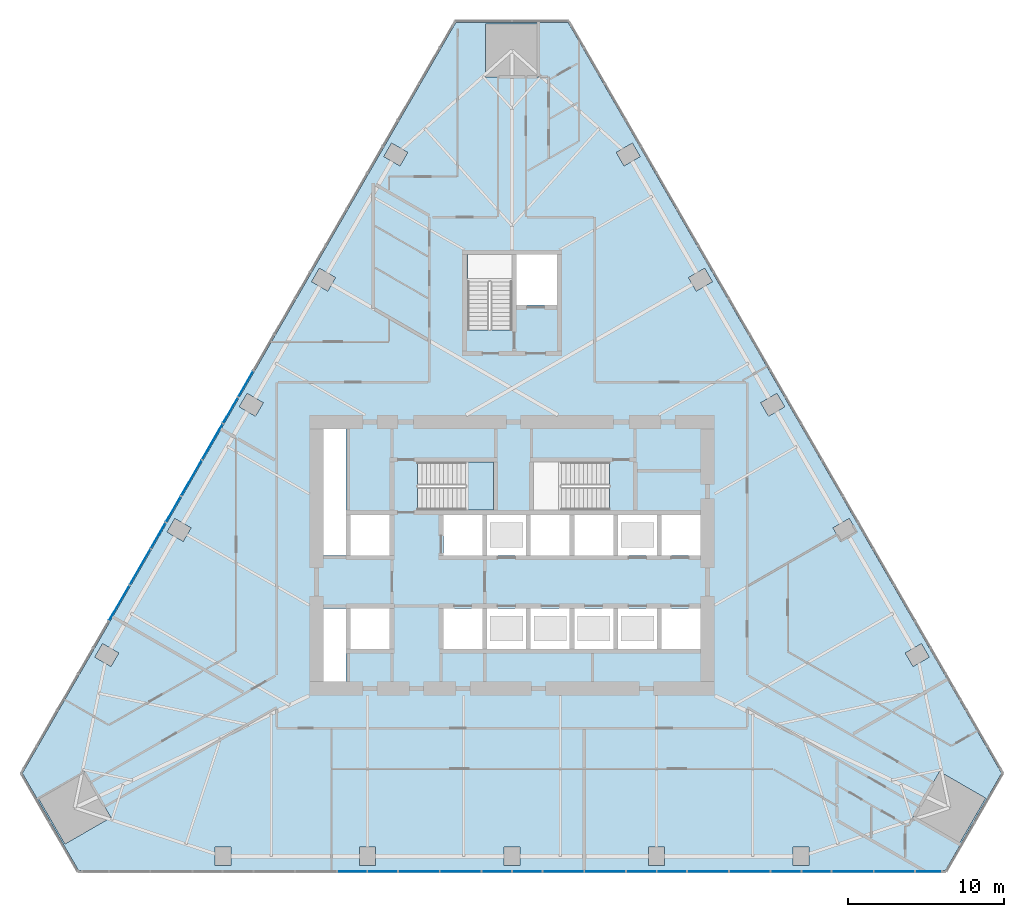
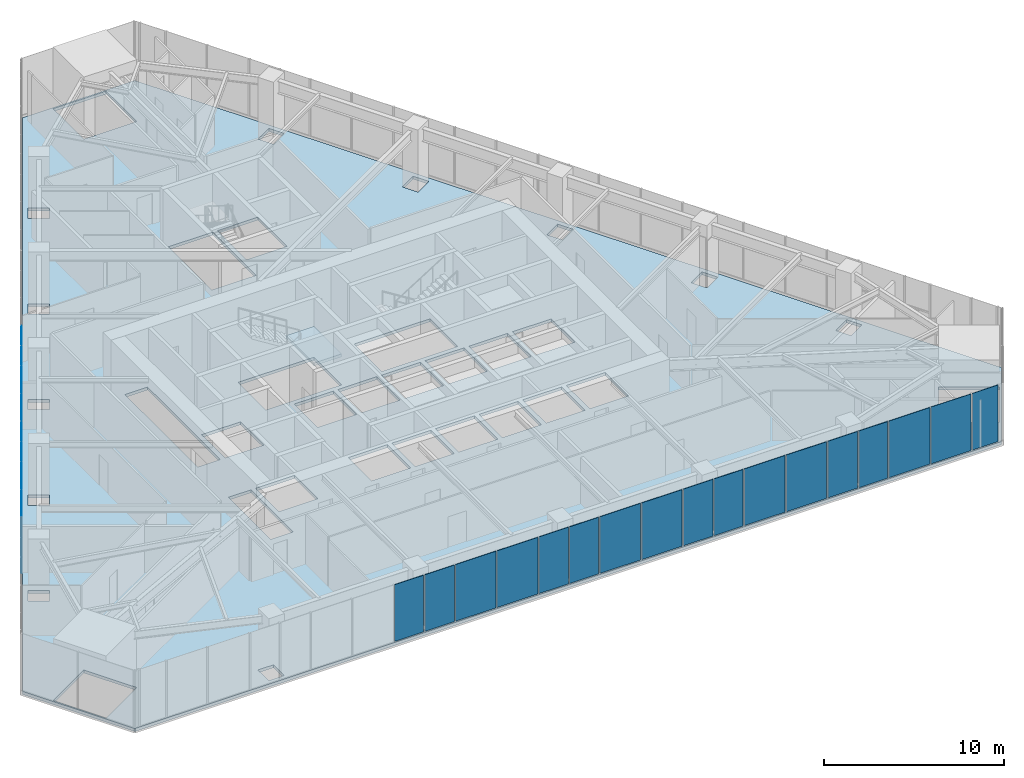
# One storey, part 12 of 22: 25 plates, 2 slabs, 3 elements without a shape of their own.
"""IFC4 building model written with IfcOpenShell, lengths in metres."""

from ifc_helpers import new_model, si_unit, direction, frame, origin, place, context, subcontext, project, spatial, polyline, outline, extrude, material, layer, layer_set, type_object, element, aggregate, save


model = new_model("IFC4")

# Units and contexts
model_context = context("Model", 3, precision=1e-05, world=origin(), true_north=direction((0.0, 1.0)))
body_context = subcontext(model_context, "Body", "Model", "MODEL_VIEW")
ifc_project = project(units=[si_unit("LENGTHUNIT", "METRE"), si_unit("AREAUNIT", "SQUARE_METRE"), si_unit("VOLUMEUNIT", "CUBIC_METRE"), si_unit("PLANEANGLEUNIT", "RADIAN"), si_unit("MASSUNIT", "GRAM", prefix="KILO")], contexts=[model_context])

# Site, building, storey
site_placement = place(None, origin())
site = spatial("IfcSite", under=ifc_project, at=site_placement, CompositionType="ELEMENT")
building_placement = place(site_placement, origin())
building = spatial("IfcBuilding", under=site, at=building_placement, Name="Firuza Gate Tower and Library", CompositionType="ELEMENT")
storey_placement = place(building_placement, frame((0.0, 0.0, 128.199951171875)))
storey = spatial("IfcBuildingStorey", under=building, at=storey_placement, Name="L29", CompositionType="ELEMENT", Elevation=128.199951171875)

# Slab
ifc_material_1 = material(Name="Concrete C40/50", Category="concrete")
ifc_layer_1 = layer(ifc_material_1, 0.199951171875)
ifc_layer_set_1 = layer_set([ifc_layer_1], Name="Composite floor slab 200 C40/50")
slab_type_1 = type_object("IfcSlabType", Name="Composite floor slab 200 C40/50", PredefinedType="FLOOR", material=ifc_layer_set_1)
slab_1_placement = place(storey_placement, frame((0.0, 0.0, -0.199951171875)))
element("IfcSlab", 1, at=slab_1_placement, inside=storey, type_object=slab_type_1, Name="Floor slab L29", PredefinedType="FLOOR", context=body_context, shape_type="SweptSolid", body=[
    extrude(outline(polyline([(43.583251953125, 61.018310546875), (47.18310546875, 54.782958984375), (102.81689453125, 54.782958984375), (106.416748046875, 61.018310546875), (78.60009765625, 109.198486328125), (71.39990234375, 109.198486328125), (43.583251953125, 61.018310546875)]), holes=[polyline([(55.955322265625, 55.0830078125), (55.955322265625, 56.282958984375), (56.955322265625, 56.282958984375), (56.955322265625, 55.0830078125), (55.955322265625, 55.0830078125)]), polyline([(65.227783203125, 55.0830078125), (65.227783203125, 56.282958984375), (66.227783203125, 56.282958984375), (66.227783203125, 55.0830078125), (65.227783203125, 55.0830078125)]), polyline([(44.61962890625, 59.4228515625), (47.564208984375, 61.123046875), (49.26416015625, 58.178466796875), (46.31982421875, 56.478515625), (44.61962890625, 59.4228515625)]), polyline([(48.72900390625, 69.33154296875), (49.768310546875, 68.7314453125), (49.268310546875, 67.865478515625), (48.22900390625, 68.46533203125), (48.72900390625, 69.33154296875)]), polyline([(64.35009765625, 66.89990234375), (62.89990234375, 66.89990234375), (62.89990234375, 71.60009765625), (64.35009765625, 71.60009765625), (64.35009765625, 66.89990234375)]), polyline([(75.89990234375, 69.0), (73.39990234375, 69.0), (73.39990234375, 71.60009765625), (75.89990234375, 71.60009765625), (75.89990234375, 69.0)]), polyline([(73.10009765625, 69.0), (70.60009765625, 69.0), (70.60009765625, 71.60009765625), (73.10009765625, 71.60009765625), (73.10009765625, 69.0)]), polyline([(64.64990234375, 69.0), (64.64990234375, 71.60009765625), (67.14990234375, 71.60009765625), (67.14990234375, 69.0), (64.64990234375, 69.0)]), polyline([(64.64990234375, 75.0), (64.64990234375, 77.60009765625), (67.14990234375, 77.60009765625), (67.14990234375, 75.0), (64.64990234375, 75.0)]), polyline([(75.89990234375, 75.0), (73.39990234375, 75.0), (73.39990234375, 77.60009765625), (75.89990234375, 77.60009765625), (75.89990234375, 75.0)]), polyline([(73.10009765625, 75.0), (70.60009765625, 75.0), (70.60009765625, 77.60009765625), (73.10009765625, 77.60009765625), (73.10009765625, 75.0)]), polyline([(53.365234375, 77.361572265625), (54.404541015625, 76.761474609375), (53.904541015625, 75.8955078125), (52.865234375, 76.495361328125), (53.365234375, 77.361572265625)]), polyline([(62.89990234375, 75.0), (62.89990234375, 83.10009765625), (64.35009765625, 83.10009765625), (64.35009765625, 75.0), (62.89990234375, 75.0)]), polyline([(68.9404296875, 77.89990234375), (68.9404296875, 80.97998046875), (73.81005859375, 80.97998046875), (73.81005859375, 77.89990234375), (68.9404296875, 77.89990234375)]), polyline([(58.00146484375, 85.3916015625), (59.04052734375, 84.79150390625), (58.54052734375, 83.925537109375), (57.50146484375, 84.525390625), (58.00146484375, 85.3916015625)]), polyline([(72.159912109375, 89.470458984375), (72.159912109375, 94.300048828125), (75.0, 94.300048828125), (75.0, 89.470458984375), (72.159912109375, 89.470458984375)]), polyline([(62.637451171875, 93.421630859375), (63.6767578125, 92.821533203125), (63.1767578125, 91.95556640625), (62.137451171875, 92.555419921875), (62.637451171875, 93.421630859375)]), polyline([(68.31298828125, 100.8515625), (67.81298828125, 99.985595703125), (66.773681640625, 100.58544921875), (67.273681640625, 101.45166015625), (68.31298828125, 100.8515625)]), polyline([(76.699951171875, 105.698486328125), (73.300048828125, 105.698486328125), (73.300048828125, 109.0986328125), (76.699951171875, 109.0986328125), (76.699951171875, 105.698486328125)]), polyline([(93.044677734375, 55.0830078125), (93.044677734375, 56.282958984375), (94.044677734375, 56.282958984375), (94.044677734375, 55.0830078125), (93.044677734375, 55.0830078125)]), polyline([(74.5, 55.0830078125), (74.5, 56.282958984375), (75.5, 56.282958984375), (75.5, 55.0830078125), (74.5, 55.0830078125)]), polyline([(83.772216796875, 55.0830078125), (83.772216796875, 56.282958984375), (84.772216796875, 56.282958984375), (84.772216796875, 55.0830078125), (83.772216796875, 55.0830078125)]), polyline([(103.68017578125, 56.478515625), (100.73583984375, 58.178466796875), (102.435791015625, 61.123046875), (105.38037109375, 59.4228515625), (103.68017578125, 56.478515625)]), polyline([(101.77099609375, 68.46533203125), (100.731689453125, 67.865478515625), (100.231689453125, 68.7314453125), (101.27099609375, 69.33154296875), (101.77099609375, 68.46533203125)]), polyline([(78.699951171875, 69.0), (76.199951171875, 69.0), (76.199951171875, 71.60009765625), (78.699951171875, 71.60009765625), (78.699951171875, 69.0)]), polyline([(81.5, 69.0), (79.0, 69.0), (79.0, 71.60009765625), (81.5, 71.60009765625), (81.5, 69.0)]), polyline([(84.60009765625, 69.0), (84.60009765625, 71.60009765625), (87.10009765625, 71.60009765625), (87.10009765625, 69.0), (84.60009765625, 69.0)]), polyline([(81.800048828125, 69.0), (81.800048828125, 71.60009765625), (84.300048828125, 71.60009765625), (84.300048828125, 69.0), (81.800048828125, 69.0)]), polyline([(84.300048828125, 75.0), (81.800048828125, 75.0), (81.800048828125, 77.60009765625), (84.300048828125, 77.60009765625), (84.300048828125, 75.0)]), polyline([(87.10009765625, 75.0), (84.60009765625, 75.0), (84.60009765625, 77.60009765625), (87.10009765625, 77.60009765625), (87.10009765625, 75.0)]), polyline([(81.5, 75.0), (79.0, 75.0), (79.0, 77.60009765625), (81.5, 77.60009765625), (81.5, 75.0)]), polyline([(76.199951171875, 75.0), (76.199951171875, 77.60009765625), (78.699951171875, 77.60009765625), (78.699951171875, 75.0), (76.199951171875, 75.0)]), polyline([(96.095458984375, 75.8955078125), (95.595458984375, 76.761474609375), (96.634765625, 77.361572265625), (97.134765625, 76.495361328125), (96.095458984375, 75.8955078125)]), polyline([(81.259521484375, 77.89990234375), (76.389892578125, 77.89990234375), (76.389892578125, 80.97998046875), (81.259521484375, 80.97998046875), (81.259521484375, 77.89990234375)]), polyline([(92.49853515625, 84.525390625), (91.45947265625, 83.925537109375), (90.95947265625, 84.79150390625), (91.99853515625, 85.3916015625), (92.49853515625, 84.525390625)]), polyline([(77.89990234375, 91.050048828125), (75.300048828125, 91.050048828125), (75.300048828125, 94.300048828125), (77.89990234375, 94.300048828125), (77.89990234375, 91.050048828125)]), polyline([(86.8232421875, 91.95556640625), (86.3232421875, 92.821533203125), (87.362548828125, 93.421630859375), (87.862548828125, 92.555419921875), (86.8232421875, 91.95556640625)]), polyline([(82.18701171875, 99.985595703125), (81.68701171875, 100.8515625), (82.726318359375, 101.45166015625), (83.226318359375, 100.58544921875), (82.18701171875, 99.985595703125)])]), origin(), (0.0, 0.0, 1.0), 0.199951171875),
])

# Curtain wall, plates
ifc_material_2 = material(Name="Aluminium 6063-T6", Category="aluminium")
ifc_layer_2 = layer(ifc_material_2, 0.14990234375)
ifc_layer_set_2 = layer_set([ifc_layer_2], Name="Unitised curtain wall, offices")
curtain_wall_type = type_object("IfcCurtainWallType", Name="Unitised curtain wall, offices", PredefinedType="NOTDEFINED", material=ifc_layer_set_2)
placement = place(storey_placement, origin())
curtain_wall_1 = element("IfcCurtainWall", 2, at=placement, inside=storey, type_object=curtain_wall_type, Name="CW1 L29 S face", PredefinedType="NOTDEFINED")
ifc_material_3 = material(Name="Fritted glass", Category="glass")
ifc_layer_3 = layer(ifc_material_3, 0.030029296875)
ifc_layer_set_3 = layer_set([ifc_layer_3], Name="Fritted glass unit, offices")
plate_type_1 = type_object("IfcPlateType", Name="Fritted glass unit, offices", PredefinedType="CURTAIN_PANEL", material=ifc_layer_set_3)
plate_1_placement = place(storey_placement, frame((63.8115234375, 54.693115234375, 0.150146484375), z_axis=(0.0, -1.0, 0.0), x_axis=(1.0, 0.0, 0.0)))
plate_1 = element("IfcPlate", 3, at=plate_1_placement, type_object=plate_type_1, Name="Glass unit", PredefinedType="CURTAIN_PANEL", context=body_context, shape_type="SweptSolid", body=[
    extrude(outline(polyline([(0.0, 0.0), (1.86181640625, 0.0), (1.86181640625, 3.849853515625), (0.0, 3.849853515625), (0.0, 0.0)])), origin(), (0.0, 0.0, -1.0), 0.030029296875),
])
plate_2_placement = place(storey_placement, frame((65.753173828125, 54.693115234375, 0.150146484375), z_axis=(0.0, -1.0, 0.0), x_axis=(1.0, 0.0, 0.0)))
plate_2 = element("IfcPlate", 4, at=plate_2_placement, type_object=plate_type_1, Name="Glass unit", PredefinedType="CURTAIN_PANEL", context=body_context, shape_type="SweptSolid", body=[
    extrude(outline(polyline([(0.0, 0.0), (1.890625, 0.0), (1.890625, 3.849853515625), (0.0, 3.849853515625), (0.0, 0.0)])), origin(), (0.0, 0.0, -1.0), 0.030029296875),
])
plate_3_placement = place(storey_placement, frame((73.083984375, 54.693115234375, 0.150146484375), z_axis=(0.0, -1.0, 0.0), x_axis=(1.0, 0.0, 0.0)))
plate_3 = element("IfcPlate", 5, at=plate_3_placement, type_object=plate_type_1, Name="Glass unit", PredefinedType="CURTAIN_PANEL", context=body_context, shape_type="SweptSolid", body=[
    extrude(outline(polyline([(0.0, 0.0), (1.8759765625, 0.0), (1.8759765625, 3.849853515625), (0.0, 3.849853515625), (0.0, 0.0)])), origin(), (0.0, 0.0, -1.0), 0.030029296875),
])
plate_4_placement = place(storey_placement, frame((75.0400390625, 54.693115234375, 0.150146484375), z_axis=(0.0, -1.0, 0.0), x_axis=(1.0, 0.0, 0.0)))
plate_4 = element("IfcPlate", 6, at=plate_4_placement, type_object=plate_type_1, Name="Glass unit", PredefinedType="CURTAIN_PANEL", context=body_context, shape_type="SweptSolid", body=[
    extrude(outline(polyline([(0.0, 0.0), (1.8759765625, 0.0), (1.8759765625, 3.849853515625), (0.0, 3.849853515625), (0.0, 0.0)])), origin(), (0.0, 0.0, -1.0), 0.030029296875),
])
plate_5_placement = place(storey_placement, frame((82.356201171875, 54.693115234375, 0.150146484375), z_axis=(0.0, -1.0, 0.0), x_axis=(1.0, 0.0, 0.0)))
plate_5 = element("IfcPlate", 7, at=plate_5_placement, type_object=plate_type_1, Name="Glass unit", PredefinedType="CURTAIN_PANEL", context=body_context, shape_type="SweptSolid", body=[
    extrude(outline(polyline([(0.0, 0.0), (1.890625, 0.0), (1.890625, 3.849853515625), (0.0, 3.849853515625), (0.0, 0.0)])), origin(), (0.0, 0.0, -1.0), 0.030029296875),
])
plate_6_placement = place(storey_placement, frame((84.32666015625, 54.693115234375, 0.150146484375), z_axis=(0.0, -1.0, 0.0), x_axis=(1.0, 0.0, 0.0)))
plate_6 = element("IfcPlate", 8, at=plate_6_placement, type_object=plate_type_1, Name="Glass unit", PredefinedType="CURTAIN_PANEL", context=body_context, shape_type="SweptSolid", body=[
    extrude(outline(polyline([(0.0, 0.0), (1.86181640625, 0.0), (1.86181640625, 3.849853515625), (0.0, 3.849853515625), (0.0, 0.0)])), origin(), (0.0, 0.0, -1.0), 0.030029296875),
])
plate_7_placement = place(storey_placement, frame((91.62841796875, 54.693115234375, 0.150146484375), z_axis=(0.0, -1.0, 0.0), x_axis=(1.0, 0.0, 0.0)))
plate_7 = element("IfcPlate", 9, at=plate_7_placement, type_object=plate_type_1, Name="Glass unit", PredefinedType="CURTAIN_PANEL", context=body_context, shape_type="SweptSolid", body=[
    extrude(outline(polyline([(0.0, 0.0), (1.905029296875, 0.0), (1.905029296875, 3.849853515625), (0.0, 3.849853515625), (0.0, 0.0)])), origin(), (0.0, 0.0, -1.0), 0.030029296875),
])
plate_8_placement = place(storey_placement, frame((93.613525390625, 54.693115234375, 0.150146484375), z_axis=(0.0, -1.0, 0.0), x_axis=(1.0, 0.0, 0.0)))
plate_8 = element("IfcPlate", 10, at=plate_8_placement, type_object=plate_type_1, Name="Glass unit", PredefinedType="CURTAIN_PANEL", context=body_context, shape_type="SweptSolid", body=[
    extrude(outline(polyline([(0.0, 0.0), (1.84716796875, 0.0), (1.84716796875, 3.849853515625), (0.0, 3.849853515625), (0.0, 0.0)])), origin(), (0.0, 0.0, -1.0), 0.030029296875),
])
plate_9_placement = place(storey_placement, frame((100.90087890625, 54.693115234375, 0.150146484375), z_axis=(0.0, -1.0, 0.0), x_axis=(1.0, 0.0, 0.0)))
plate_9 = element("IfcPlate", 11, at=plate_9_placement, type_object=plate_type_1, Name="Glass unit", PredefinedType="CURTAIN_PANEL", context=body_context, shape_type="SweptSolid", body=[
    extrude(outline(polyline([(0.0, 0.0), (1.653076171875, 0.0), (1.653076171875, 3.849853515625), (0.0, 3.849853515625), (0.0, 0.0)])), origin(), (0.0, 0.0, -1.0), 0.030029296875),
])

curtain_wall_2 = element("IfcCurtainWall", 12, at=placement, inside=storey, type_object=curtain_wall_type, Name="CW1 L29 W face", PredefinedType="NOTDEFINED")
plate_10_placement = place(storey_placement, frame((58.37158203125, 86.81298828125, 0.150146484375), z_axis=(-0.866040394721, 0.499974034037, 0.0), x_axis=(-0.499974034037, -0.866040394721, 0.0)))
plate_10 = element("IfcPlate", 13, at=plate_10_placement, type_object=plate_type_1, Name="Glass unit", PredefinedType="CURTAIN_PANEL", context=body_context, shape_type="SweptSolid", body=[
    extrude(outline(polyline([(0.0, 0.0), (1.876073990634624, 0.0), (1.876073990634624, 3.849853515625), (0.0, 3.849853515625), (0.0, 0.0)])), origin(), (0.0, 0.0, -1.0), 0.030029296875),
])
plate_11_placement = place(storey_placement, frame((57.3935546875, 85.118896484375, 0.150146484375), z_axis=(-0.866040394721, 0.499974034037, 0.0), x_axis=(-0.499974034037, -0.866040394721, 0.0)))
plate_11 = element("IfcPlate", 14, at=plate_11_placement, type_object=plate_type_1, Name="Glass unit", PredefinedType="CURTAIN_PANEL", context=body_context, shape_type="SweptSolid", body=[
    extrude(outline(polyline([(0.0, 0.0), (1.876073990634624, 0.0), (1.876073990634624, 3.849853515625), (0.0, 3.849853515625), (0.0, 0.0)])), origin(), (0.0, 0.0, -1.0), 0.030029296875),
])
plate_12_placement = place(storey_placement, frame((53.735595703125, 78.782958984375, 0.150146484375), z_axis=(-0.866041520497, 0.499972083996, 0.0), x_axis=(-0.499972083996, -0.866041520497, 0.0)))
plate_12 = element("IfcPlate", 15, at=plate_12_placement, type_object=plate_type_1, Name="Glass unit", PredefinedType="CURTAIN_PANEL", context=body_context, shape_type="SweptSolid", body=[
    extrude(outline(polyline([(0.0, 0.0), (1.8907305632826326, 0.0), (1.8907305632826326, 3.849853515625), (0.0, 3.849853515625), (0.0, 0.0)])), origin(), (0.0, 0.0, -1.0), 0.030029296875),
])
plate_13_placement = place(storey_placement, frame((52.750244140625, 77.076416015625, 0.150146484375), z_axis=(-0.866015249523, 0.500017587285, 0.0), x_axis=(-0.500017587285, -0.866015249523, 0.0)))
plate_13 = element("IfcPlate", 16, at=plate_13_placement, type_object=plate_type_1, Name="Glass unit", PredefinedType="CURTAIN_PANEL", context=body_context, shape_type="SweptSolid", body=[
    extrude(outline(polyline([(0.0, 0.0), (1.8617509199621438, 0.0), (1.8617509199621438, 3.849853515625), (0.0, 3.849853515625), (0.0, 0.0)])), origin(), (0.0, 0.0, -1.0), 0.030029296875),
])

# Plate
ifc_material_4 = material(Name="Glazed ceramic tile")
ifc_layer_4 = layer(ifc_material_4, 0.030029296875)
ifc_layer_set_4 = layer_set([ifc_layer_4], Name="Opaque ceramic panel, offices")
plate_type_2 = type_object("IfcPlateType", Name="Opaque ceramic panel, offices", PredefinedType="CURTAIN_PANEL", material=ifc_layer_set_4)
plate_14_placement = place(storey_placement, frame((67.723876953125, 54.693115234375, 0.150146484375), z_axis=(0.0, -1.0, 0.0), x_axis=(1.0, 0.0, 0.0)))
plate_14 = element("IfcPlate", 17, at=plate_14_placement, type_object=plate_type_2, Name="Opaque ceramic panel", PredefinedType="CURTAIN_PANEL", context=body_context, shape_type="SweptSolid", body=[
    extrude(outline(polyline([(0.0, 0.0), (2.5927734375, 0.0), (2.5927734375, 3.849853515625), (0.0, 3.849853515625), (0.0, 0.0)])), origin(), (0.0, 0.0, -1.0), 0.030029296875),
])

plate_15_placement = place(storey_placement, frame((70.396728515625, 54.693115234375, 0.150146484375), z_axis=(0.0, -1.0, 0.0), x_axis=(1.0, 0.0, 0.0)))
plate_15 = element("IfcPlate", 18, at=plate_15_placement, type_object=plate_type_2, Name="Opaque ceramic panel", PredefinedType="CURTAIN_PANEL", context=body_context, shape_type="SweptSolid", body=[
    extrude(outline(polyline([(0.0, 0.0), (2.607177734375, 0.0), (2.607177734375, 3.849853515625), (0.0, 3.849853515625), (0.0, 0.0)])), origin(), (0.0, 0.0, -1.0), 0.030029296875),
])

plate_16_placement = place(storey_placement, frame((76.99609375, 54.693115234375, 0.150146484375), z_axis=(0.0, -1.0, 0.0), x_axis=(1.0, 0.0, 0.0)))
plate_16 = element("IfcPlate", 19, at=plate_16_placement, type_object=plate_type_2, Name="Opaque ceramic panel", PredefinedType="CURTAIN_PANEL", context=body_context, shape_type="SweptSolid", body=[
    extrude(outline(polyline([(0.0, 0.0), (2.607177734375, 0.0), (2.607177734375, 3.849853515625), (0.0, 3.849853515625), (0.0, 0.0)])), origin(), (0.0, 0.0, -1.0), 0.030029296875),
])

plate_17_placement = place(storey_placement, frame((79.683349609375, 54.693115234375, 0.150146484375), z_axis=(0.0, -1.0, 0.0), x_axis=(1.0, 0.0, 0.0)))
plate_17 = element("IfcPlate", 20, at=plate_17_placement, type_object=plate_type_2, Name="Opaque ceramic panel", PredefinedType="CURTAIN_PANEL", context=body_context, shape_type="SweptSolid", body=[
    extrude(outline(polyline([(0.0, 0.0), (2.5927734375, 0.0), (2.5927734375, 3.849853515625), (0.0, 3.849853515625), (0.0, 0.0)])), origin(), (0.0, 0.0, -1.0), 0.030029296875),
])

plate_18_placement = place(storey_placement, frame((86.268310546875, 54.693115234375, 0.150146484375), z_axis=(0.0, -1.0, 0.0), x_axis=(1.0, 0.0, 0.0)))
plate_18 = element("IfcPlate", 21, at=plate_18_placement, type_object=plate_type_2, Name="Opaque ceramic panel", PredefinedType="CURTAIN_PANEL", context=body_context, shape_type="SweptSolid", body=[
    extrude(outline(polyline([(0.0, 0.0), (2.621826171875, 0.0), (2.621826171875, 3.849853515625), (0.0, 3.849853515625), (0.0, 0.0)])), origin(), (0.0, 0.0, -1.0), 0.030029296875),
])

plate_19_placement = place(storey_placement, frame((88.969970703125, 54.693115234375, 0.150146484375), z_axis=(0.0, -1.0, 0.0), x_axis=(1.0, 0.0, 0.0)))
plate_19 = element("IfcPlate", 22, at=plate_19_placement, type_object=plate_type_2, Name="Opaque ceramic panel", PredefinedType="CURTAIN_PANEL", context=body_context, shape_type="SweptSolid", body=[
    extrude(outline(polyline([(0.0, 0.0), (2.57861328125, 0.0), (2.57861328125, 3.849853515625), (0.0, 3.849853515625), (0.0, 0.0)])), origin(), (0.0, 0.0, -1.0), 0.030029296875),
])

plate_20_placement = place(storey_placement, frame((95.540771484375, 54.693115234375, 0.150146484375), z_axis=(0.0, -1.0, 0.0), x_axis=(1.0, 0.0, 0.0)))
plate_20 = element("IfcPlate", 23, at=plate_20_placement, type_object=plate_type_2, Name="Opaque ceramic panel", PredefinedType="CURTAIN_PANEL", context=body_context, shape_type="SweptSolid", body=[
    extrude(outline(polyline([(0.0, 0.0), (2.635986328125, 0.0), (2.635986328125, 3.849853515625), (0.0, 3.849853515625), (0.0, 0.0)])), origin(), (0.0, 0.0, -1.0), 0.030029296875),
])

plate_21_placement = place(storey_placement, frame((98.2568359375, 54.693115234375, 0.150146484375), z_axis=(0.0, -1.0, 0.0), x_axis=(1.0, 0.0, 0.0)))
plate_21 = element("IfcPlate", 24, at=plate_21_placement, type_object=plate_type_2, Name="Opaque ceramic panel", PredefinedType="CURTAIN_PANEL", context=body_context, shape_type="SweptSolid", body=[
    extrude(outline(polyline([(0.0, 0.0), (2.56396484375, 0.0), (2.56396484375, 3.849853515625), (0.0, 3.849853515625), (0.0, 0.0)])), origin(), (0.0, 0.0, -1.0), 0.030029296875),
])

aggregate(curtain_wall_1, [plate_1, plate_2, plate_14, plate_15, plate_3, plate_4, plate_16, plate_17, plate_5, plate_6, plate_18, plate_19, plate_7, plate_8, plate_20, plate_21, plate_9])

plate_22_placement = place(storey_placement, frame((56.41552734375, 83.4248046875, 0.150146484375), z_axis=(-0.866062405902, 0.499935904975, 0.0), x_axis=(-0.499935904975, -0.866062405902, 0.0)))
plate_22 = element("IfcPlate", 25, at=plate_22_placement, type_object=plate_type_2, Name="Opaque ceramic panel", PredefinedType="CURTAIN_PANEL", context=body_context, shape_type="SweptSolid", body=[
    extrude(outline(polyline([(0.0, 0.0), (2.6072678195433303, 0.0), (2.6072678195433303, 3.849853515625), (0.0, 3.849853515625), (0.0, 0.0)])), origin(), (0.0, 0.0, -1.0), 0.030029296875),
])

plate_23_placement = place(storey_placement, frame((55.072021484375, 81.09765625, 0.150146484375), z_axis=(-0.866044474677, 0.49996696679, 0.0), x_axis=(-0.49996696679, -0.866044474677, 0.0)))
plate_23 = element("IfcPlate", 26, at=plate_23_placement, type_object=plate_type_2, Name="Opaque ceramic panel", PredefinedType="CURTAIN_PANEL", context=body_context, shape_type="SweptSolid", body=[
    extrude(outline(polyline([(0.0, 0.0), (2.59294474407599, 0.0), (2.59294474407599, 3.849853515625), (0.0, 3.849853515625), (0.0, 0.0)])), origin(), (0.0, 0.0, -1.0), 0.030029296875),
])

plate_24_placement = place(storey_placement, frame((51.779541015625, 75.394775390625, 0.150146484375), z_axis=(-0.865999496279, 0.500044870432, 0.0), x_axis=(-0.500044870432, -0.865999496279, 0.0)))
plate_24 = element("IfcPlate", 27, at=plate_24_placement, type_object=plate_type_2, Name="Opaque ceramic panel", PredefinedType="CURTAIN_PANEL", context=body_context, shape_type="SweptSolid", body=[
    extrude(outline(polyline([(0.0, 0.0), (2.6218350267602646, 0.0), (2.6218350267602646, 3.849853515625), (0.0, 3.849853515625), (0.0, 0.0)])), origin(), (0.0, 0.0, -1.0), 0.030029296875),
])

plate_25_placement = place(storey_placement, frame((50.4287109375, 73.054931640625, 0.150146484375), z_axis=(-0.86600267068, 0.500039372825, 0.0), x_axis=(-0.500039372825, -0.86600267068, 0.0)))
plate_25 = element("IfcPlate", 28, at=plate_25_placement, type_object=plate_type_2, Name="Opaque ceramic panel", PredefinedType="CURTAIN_PANEL", context=body_context, shape_type="SweptSolid", body=[
    extrude(outline(polyline([(0.0, 0.0), (2.5784102426580846, 0.0), (2.5784102426580846, 3.849853515625), (0.0, 3.849853515625), (0.0, 0.0)])), origin(), (0.0, 0.0, -1.0), 0.030029296875),
])

aggregate(curtain_wall_2, [plate_10, plate_11, plate_22, plate_23, plate_12, plate_13, plate_24, plate_25])

# Stair, slab
ifc_material_5 = material(Name="Concrete C35/45", Category="concrete")
stair_type = type_object("IfcStairType", Name="Exit stair ST5", PredefinedType="HALF_TURN_STAIR", material=ifc_material_5)
stair = element("IfcStair", 29, at=placement, inside=storey, type_object=stair_type, Name="L29 Stair ST1", PredefinedType="HALF_TURN_STAIR")
ifc_material_6 = material(Name="Concrete C35/45", Category="concrete")
ifc_layer_5 = layer(ifc_material_6, 0.199951171875)
ifc_layer_set_5 = layer_set([ifc_layer_5], Name="Stair landing 200")
slab_type_2 = type_object("IfcSlabType", Name="Stair landing 200", PredefinedType="LANDING", material=ifc_layer_set_5)
slab_2_placement = place(storey_placement, frame((0.0, 0.0, 1.900146484375)))
slab_2 = element("IfcSlab", 30, at=slab_2_placement, type_object=slab_type_2, Name="ST1 landing 1", PredefinedType="LANDING", context=body_context, shape_type="SweptSolid", body=[
    extrude(outline(polyline([(72.02001953125, 77.89990234375), (73.81005859375, 77.89990234375), (73.81005859375, 80.97998046875), (72.02001953125, 80.97998046875), (72.02001953125, 77.89990234375)])), origin(), (0.0, 0.0, 1.0), 0.199951171875),
])
aggregate(stair, [slab_2])

save(model, "model.ifc")
